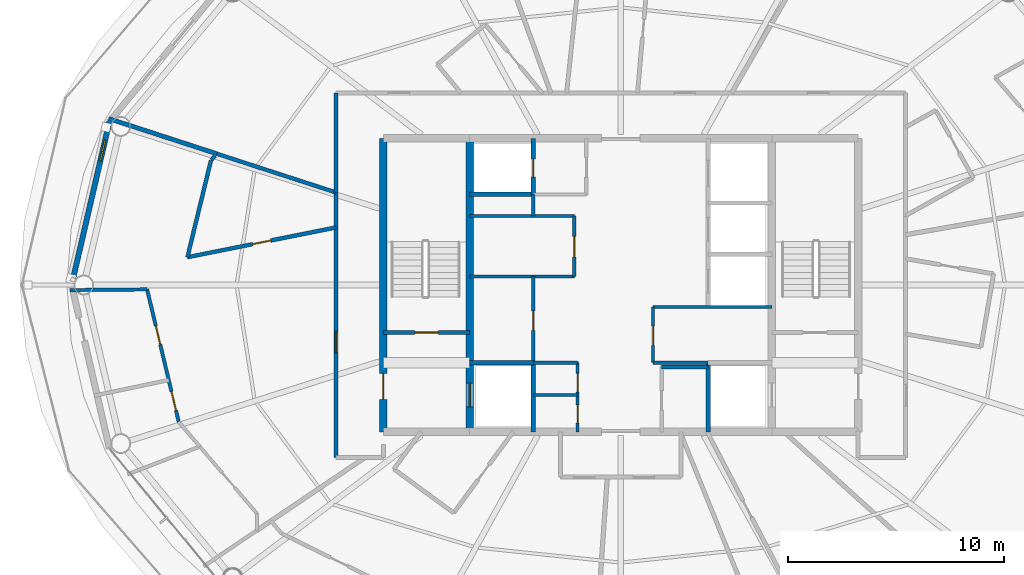
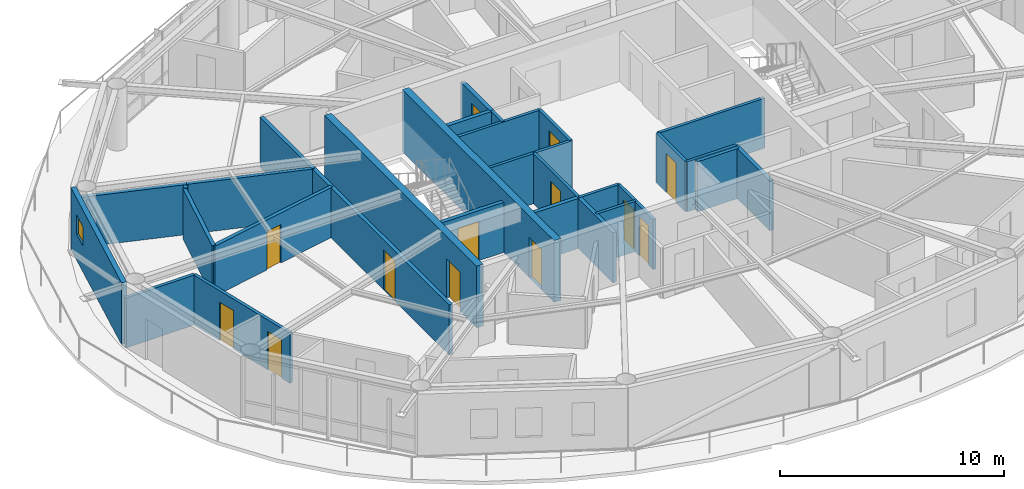
# One storey, part 16 of 22: 30 walls, 13 doors, 1 window, 14 openings.
"""IFC4 building model written with IfcOpenShell, lengths in metres."""

from ifc_helpers import new_model, si_unit, direction, frame, frame_2d, origin, place, context, subcontext, project, spatial, rectangle, extrude, material, layer, layer_set, type_object, element, fill, save


model = new_model("IFC4")

# Units and contexts
model_context = context("Model", 3, precision=1e-05, world=origin(), true_north=direction((0.0, 1.0)))
body_context = subcontext(model_context, "Body", "Model", "MODEL_VIEW")
ifc_project = project(units=[si_unit("LENGTHUNIT", "METRE"), si_unit("AREAUNIT", "SQUARE_METRE"), si_unit("VOLUMEUNIT", "CUBIC_METRE"), si_unit("PLANEANGLEUNIT", "RADIAN"), si_unit("MASSUNIT", "GRAM", prefix="KILO")], contexts=[model_context])

# Site, building, storey
site_placement = place(None, origin())
site = spatial("IfcSite", under=ifc_project, at=site_placement, CompositionType="ELEMENT")
building_placement = place(site_placement, origin())
building = spatial("IfcBuilding", under=site, at=building_placement, Name="Sarneth Arch Tower", CompositionType="ELEMENT")
storey_placement = place(building_placement, frame((0.0, 0.0, 294.60009765625)))
storey = spatial("IfcBuildingStorey", under=building, at=storey_placement, Name="L76", CompositionType="ELEMENT", Elevation=294.60009765625)

# Wall, opening, door
ifc_material_1 = material(Name="Concrete C50/60", Category="concrete")
ifc_layer_1 = layer(ifc_material_1, 0.35009765625)
ifc_layer_set_1 = layer_set([ifc_layer_1], Name="Concrete C50/60")
wall_type_1 = type_object("IfcWallType", Name="WALL-CORE-350", PredefinedType="SHEAR", material=ifc_layer_set_1)
wall_1_placement = place(storey_placement, frame((37.0, 35.199951171875, 0.0), z_axis=(0.0, 0.0, 1.0), x_axis=(0.0, 1.0, 0.0)))
wall_1 = element("IfcWall", 1, at=wall_1_placement, inside=storey, type_object=wall_type_1, Name="L76 Core shear wall W", PredefinedType="SHEAR", context=body_context, shape_type="SweptSolid", body=[
    extrude(rectangle(XDim=13.60009765625, YDim=0.35009765625, at=frame_2d((6.800048828125, 0.0))), origin(), (0.0, 0.0, 1.0), 3.369873046875),
])
opening_1_placement = place(wall_1_placement, frame((1.5, 0.0, 0.0)))
opening_1 = element("IfcOpeningElement", 2, at=opening_1_placement, cuts=wall_1, Name="Opening FD-02", PredefinedType="OPENING", context=body_context, shape_type="SweptSolid", body=[
    extrude(rectangle(XDim=1.199951171875, YDim=2.14990234375, at=frame_2d((0.60009765625, 1.074951171875))), frame((0.0, 0.18505859375, 0.0), z_axis=(0.0, -1.0, 0.0), x_axis=(1.0, 0.0, 0.0)), (0.0, 0.0, 1.0), 0.3701171875),
])
ifc_material_2 = material(Name="Galvanised Steel S275 fire door set", Category="steel")
door_type_1 = type_object("IfcDoorType", Name="DR-FD90-1200", OperationType="SINGLE_SWING_LEFT", PredefinedType="DOOR", material=ifc_material_2)
door_1_placement = place(opening_1_placement, origin())
door_1 = element("IfcDoor", 3, at=door_1_placement, inside=storey, type_object=door_type_1, Name="L76 Firefighting lobby 1 exit door", OperationType="SINGLE_SWING_LEFT", OverallHeight=2.14990234375, OverallWidth=1.199951171875, PredefinedType="DOOR", context=body_context, shape_type="SweptSolid", body=[
    extrude(rectangle(XDim=1.199951171875, YDim=2.14990234375, at=frame_2d((0.60009765625, 1.074951171875))), frame((0.0, 0.02490234375, 0.0), z_axis=(0.0, -1.0, 0.0), x_axis=(1.0, 0.0, 0.0)), (0.0, 0.0, 1.0), 0.050048828125),
])
fill(opening_1, door_1)

wall_2_placement = place(storey_placement, frame((41.0, 35.199951171875, 0.0), z_axis=(0.0, 0.0, 1.0), x_axis=(0.0, 1.0, 0.0)))
wall_2 = element("IfcWall", 4, at=wall_2_placement, inside=storey, type_object=wall_type_1, Name="L76 Core shear wall WEB-W", PredefinedType="SHEAR", context=body_context, shape_type="SweptSolid", body=[
    extrude(rectangle(XDim=13.60009765625, YDim=0.35009765625, at=frame_2d((6.800048828125, 0.0))), origin(), (0.0, 0.0, 1.0), 3.369873046875),
])
opening_2_placement = place(wall_2_placement, frame((1.14990234375, 0.0, 0.0)))
opening_2 = element("IfcOpeningElement", 5, at=opening_2_placement, cuts=wall_2, Name="Opening LD-1", PredefinedType="OPENING", context=body_context, shape_type="SweptSolid", body=[
    extrude(rectangle(XDim=1.10009765625, YDim=2.199951171875, at=frame_2d((0.550048828125, 1.10009765625))), frame((0.0, 0.18505859375, 0.0), z_axis=(0.0, -1.0, 0.0), x_axis=(1.0, 0.0, 0.0)), (0.0, 0.0, 1.0), 0.3701171875),
])
ifc_material_3 = material(Name="Brushed Stainless Steel 304 lift landing door", Category="steel")
door_type_2 = type_object("IfcDoorType", Name="DR-LIFT-SLIDE-1100", OperationType="SLIDING_TO_LEFT", PredefinedType="DOOR", material=ifc_material_3)
door_2_placement = place(opening_2_placement, origin())
door_2 = element("IfcDoor", 6, at=door_2_placement, inside=storey, type_object=door_type_2, Name="L76 Firefighting lift landing door FL-1", OperationType="SLIDING_TO_LEFT", OverallHeight=2.199951171875, OverallWidth=1.10009765625, PredefinedType="DOOR", context=body_context, shape_type="SweptSolid", body=[
    extrude(rectangle(XDim=1.10009765625, YDim=2.199951171875, at=frame_2d((0.550048828125, 1.10009765625))), frame((0.0, 0.02490234375, 0.0), z_axis=(0.0, -1.0, 0.0), x_axis=(1.0, 0.0, 0.0)), (0.0, 0.0, 1.0), 0.050048828125),
])
fill(opening_2, door_2)

ifc_material_4 = material(Name="Double steel-stud corridor fire wall", Category="steel")
ifc_layer_2 = layer(ifc_material_4, 0.18994140625)
ifc_layer_set_2 = layer_set([ifc_layer_2], Name="Double steel-stud corridor fire wall")
wall_type_2 = type_object("IfcWallType", Name="WALL-CORR-190", PredefinedType="PARTITIONING", material=ifc_layer_set_2)
wall_3_placement = place(storey_placement, frame((34.800048828125, 34.0, 0.0), z_axis=(0.0, 0.0, 1.0), x_axis=(0.0, 1.0, 0.0)))
wall_3 = element("IfcWall", 7, at=wall_3_placement, inside=storey, type_object=wall_type_2, Name="L76 Interior partition W-L76-TP-013", PredefinedType="PARTITIONING", context=body_context, shape_type="SweptSolid", body=[
    extrude(rectangle(XDim=12.322509765625, YDim=0.18994140625, at=frame_2d((6.1611328125, 0.0))), origin(), (0.0, 0.0, 1.0), 2.72998046875),
])
opening_3_placement = place(wall_3_placement, frame((4.849365234375, 0.0, 0.0)))
opening_3 = element("IfcOpeningElement", 8, at=opening_3_placement, cuts=wall_3, Name="Opening FD-08", PredefinedType="OPENING", context=body_context, shape_type="SweptSolid", body=[
    extrude(rectangle(XDim=1.0, YDim=2.199951171875, at=frame_2d((0.5, 1.10009765625))), frame((0.0, 0.10498046875, 0.0), z_axis=(0.0, -1.0, 0.0), x_axis=(1.0, 0.0, 0.0)), (0.0, 0.0, 1.0), 0.2099609375),
])
ifc_material_5 = material(Name="Hardwood timber acoustic fire door", Category="wood")
door_type_3 = type_object("IfcDoorType", Name="DR-FD60-1000", OperationType="SINGLE_SWING_LEFT", PredefinedType="DOOR", material=ifc_material_5)
door_3_placement = place(opening_3_placement, origin())
door_3 = element("IfcDoor", 9, at=door_3_placement, inside=storey, type_object=door_type_3, Name="L76 Interior door DR-L76-U4-ENT", OperationType="SINGLE_SWING_RIGHT", OverallHeight=2.199951171875, OverallWidth=1.0, PredefinedType="DOOR", context=body_context, shape_type="SweptSolid", body=[
    extrude(rectangle(XDim=1.0, YDim=2.199951171875, at=frame_2d((0.5, 1.10009765625))), frame((0.0, 0.02490234375, 0.0), z_axis=(0.0, -1.0, 0.0), x_axis=(1.0, 0.0, 0.0)), (0.0, 0.0, 1.0), 0.050048828125),
])
fill(opening_3, door_3)

# Wall
wall_4_placement = place(storey_placement, frame((34.800048828125, 46.25537109375, 0.0), z_axis=(0.0, 0.0, 1.0), x_axis=(0.0, 1.0, 0.0)))
element("IfcWall", 10, at=wall_4_placement, inside=storey, type_object=wall_type_2, Name="L76 Interior partition W-L76-TP-008", PredefinedType="PARTITIONING", context=body_context, shape_type="SweptSolid", body=[
    extrude(rectangle(XDim=4.64453125, YDim=0.18994140625, at=frame_2d((2.322265625, 0.0))), origin(), (0.0, 0.0, 1.0), 2.72998046875),
])

# Wall, opening, window
ifc_material_6 = material(Name="Extruded terracotta rainscreen on Concrete C40/50 backing", Category="masonry")
ifc_layer_3 = layer(ifc_material_6, 0.25)
ifc_layer_set_3 = layer_set([ifc_layer_3], Name="Extruded terracotta rainscreen on Concrete C40/50 backing")
wall_type_3 = type_object("IfcWallType", Name="WALL-EXT-SPAND-250", PredefinedType="SOLIDWALL", material=ifc_layer_set_3)
wall_5_placement = place(storey_placement, frame((24.30615234375, 49.569580078125, 0.0), z_axis=(0.0, 0.0, 1.0), x_axis=(-0.225635078214, -0.974211892495, 0.0)))
wall_5 = element("IfcWall", 11, at=wall_5_placement, inside=storey, type_object=wall_type_3, Name="L76 Terracotta perimeter wall 08", PredefinedType="SOLIDWALL", context=body_context, shape_type="SweptSolid", body=[
    extrude(rectangle(XDim=7.77001953125, YDim=0.25, at=frame_2d((3.885009765625, 0.0))), origin(), (0.0, 0.0, 1.0), 3.369873046875),
])
opening_4_placement = place(wall_5_placement, frame((0.877685546875, 0.0, 1.419921875)))
opening_4 = element("IfcOpeningElement", 12, at=opening_4_placement, cuts=wall_5, Name="Opening W-14", PredefinedType="OPENING", context=body_context, shape_type="SweptSolid", body=[
    extrude(rectangle(XDim=1.0, YDim=1.050048828125, at=frame_2d((0.5, 0.52490234375))), frame((0.0, 0.135009765625, 0.0), z_axis=(0.0, -1.0, 0.0), x_axis=(1.0, 0.0, 0.0)), (0.0, 0.0, 1.0), 0.27001953125),
])
ifc_material_7 = material(Name="Thermally broken Aluminium 6063-T6 and low-e laminated IGU", Category="aluminium")
window_type = type_object("IfcWindowType", Name="WIN-TWR-1000x1050", PartitioningType="SINGLE_PANEL", PredefinedType="WINDOW", material=ifc_material_7)
window_placement = place(opening_4_placement, origin())
window = element("IfcWindow", 13, at=window_placement, inside=storey, type_object=window_type, Name="L76 Dwelling bedroom window 02", OverallHeight=1.050048828125, OverallWidth=1.0, PartitioningType="SINGLE_PANEL", PredefinedType="WINDOW", context=body_context, shape_type="SweptSolid", body=[
    extrude(rectangle(XDim=1.0, YDim=1.050048828125, at=frame_2d((0.5, 0.52490234375))), frame((0.0, 0.030029296875, 0.0), z_axis=(0.0, -1.0, 0.0), x_axis=(1.0, 0.0, 0.0)), (0.0, 0.0, 1.0), 0.06005859375),
])
fill(opening_4, window)

# Wall, opening, door
ifc_material_8 = material(Name="Acoustic gypsum stud partition", Category="gypsum")
ifc_layer_4 = layer(ifc_material_8, 0.14990234375)
ifc_layer_set_4 = layer_set([ifc_layer_4], Name="Acoustic gypsum stud partition")
wall_type_4 = type_object("IfcWallType", Name="WALL-PART-150", PredefinedType="PARTITIONING", material=ifc_layer_set_4)
wall_6_placement = place(storey_placement, frame((43.949951171875, 38.39990234375, 0.0), z_axis=(0.0, 0.0, 1.0), x_axis=(0.0, 1.0, 0.0)))
wall_6 = element("IfcWall", 14, at=wall_6_placement, inside=storey, type_object=wall_type_4, Name="L76 Interior partition W-L76-RECPL-E", PredefinedType="PARTITIONING", context=body_context, shape_type="SweptSolid", body=[
    extrude(rectangle(XDim=4.0, YDim=0.14990234375, at=frame_2d((2.0, 0.0))), origin(), (0.0, 0.0, 1.0), 2.72998046875),
])
opening_5_placement = place(wall_6_placement, frame((1.5, 0.0, 0.0)))
opening_5 = element("IfcOpeningElement", 15, at=opening_5_placement, cuts=wall_6, Name="Opening FD-10", PredefinedType="OPENING", context=body_context, shape_type="SweptSolid", body=[
    extrude(rectangle(XDim=0.89990234375, YDim=2.14990234375, at=frame_2d((0.449951171875, 1.074951171875))), frame((0.0, 0.0849609375, 0.0), z_axis=(0.0, -1.0, 0.0), x_axis=(1.0, 0.0, 0.0)), (0.0, 0.0, 1.0), 0.169921875),
])
ifc_material_9 = material(Name="Galvanised Steel S275 riser/service fire door", Category="steel")
door_type_4 = type_object("IfcDoorType", Name="DR-FD60-900", OperationType="SINGLE_SWING_LEFT", PredefinedType="DOOR", material=ifc_material_9)
door_4_placement = place(opening_5_placement, origin())
door_4 = element("IfcDoor", 16, at=door_4_placement, inside=storey, type_object=door_type_4, Name="L76 Interior door DR-L76-RECPL", OperationType="SINGLE_SWING_LEFT", OverallHeight=2.14990234375, OverallWidth=0.89990234375, PredefinedType="DOOR", context=body_context, shape_type="SweptSolid", body=[
    extrude(rectangle(XDim=0.89990234375, YDim=2.14990234375, at=frame_2d((0.449951171875, 1.074951171875))), frame((0.0, 0.02490234375, 0.0), z_axis=(0.0, -1.0, 0.0), x_axis=(1.0, 0.0, 0.0)), (0.0, 0.0, 1.0), 0.050048828125),
])
fill(opening_5, door_4)

# Walls
for number, where, z_axis, x_axis, name in (
    (17, (41.0, 42.39990234375, 0.0), (0.0, 0.0, 1.0), (1.0, 0.0, 0.0), "L76 Interior partition W-L76-RECPM1-S"),
    (18, (41.0, 45.199951171875, 0.0), (0.0, 0.0, 1.0), (1.0, 0.0, 0.0), "L76 Interior partition W-L76-RECPM1-N"),
):
    element("IfcWall", number, at=place(storey_placement, frame(where, z_axis=z_axis, x_axis=x_axis)), inside=storey, type_object=wall_type_4, Name=name, PredefinedType="PARTITIONING", context=body_context, shape_type="SweptSolid", body=[
        extrude(rectangle(XDim=4.85009765625, YDim=0.14990234375, at=frame_2d((2.425048828125, 0.0))), origin(), (0.0, 0.0, 1.0), 2.72998046875),
    ])
wall_7_placement = place(storey_placement, frame((43.949951171875, 45.199951171875, 0.0), z_axis=(0.0, 0.0, 1.0), x_axis=(0.0, 1.0, 0.0)))
element("IfcWall", 19, at=wall_7_placement, inside=storey, type_object=wall_type_4, Name="L76 Interior partition W-L76-RECPM1-W2", PredefinedType="PARTITIONING", context=body_context, shape_type="SweptSolid", body=[
    extrude(rectangle(XDim=1.0, YDim=0.14990234375, at=frame_2d((0.5, 0.0))), origin(), (0.0, 0.0, 1.0), 2.72998046875),
])

# Wall, opening, door
wall_8_placement = place(storey_placement, frame((45.85009765625, 42.39990234375, 0.0), z_axis=(0.0, 0.0, 1.0), x_axis=(0.0, 1.0, 0.0)))
wall_8 = element("IfcWall", 20, at=wall_8_placement, inside=storey, type_object=wall_type_4, Name="L76 Interior partition W-L76-RECPM1-E", PredefinedType="PARTITIONING", context=body_context, shape_type="SweptSolid", body=[
    extrude(rectangle(XDim=2.800048828125, YDim=0.14990234375, at=frame_2d((1.39990234375, 0.0))), origin(), (0.0, 0.0, 1.0), 2.72998046875),
])
opening_6_placement = place(wall_8_placement, frame((0.89990234375, 0.0, 0.0)))
opening_6 = element("IfcOpeningElement", 21, at=opening_6_placement, cuts=wall_8, Name="Opening FD-09", PredefinedType="OPENING", context=body_context, shape_type="SweptSolid", body=[
    extrude(rectangle(XDim=0.949951171875, YDim=2.14990234375, at=frame_2d((0.47509765625, 1.074951171875))), frame((0.0, 0.0849609375, 0.0), z_axis=(0.0, -1.0, 0.0), x_axis=(1.0, 0.0, 0.0)), (0.0, 0.0, 1.0), 0.169921875),
])
ifc_material_10 = material(Name="Hardwood timber hotel entrance fire door", Category="wood")
door_type_5 = type_object("IfcDoorType", Name="DR-FD60-950", OperationType="SINGLE_SWING_RIGHT", PredefinedType="DOOR", material=ifc_material_10)
door_5_placement = place(opening_6_placement, origin())
door_5 = element("IfcDoor", 22, at=door_5_placement, inside=storey, type_object=door_type_5, Name="L76 Interior door DR-L76-RECPM1", OperationType="SINGLE_SWING_RIGHT", OverallHeight=2.14990234375, OverallWidth=0.949951171875, PredefinedType="DOOR", context=body_context, shape_type="SweptSolid", body=[
    extrude(rectangle(XDim=0.949951171875, YDim=2.14990234375, at=frame_2d((0.47509765625, 1.074951171875))), frame((0.0, 0.02490234375, 0.0), z_axis=(0.0, -1.0, 0.0), x_axis=(1.0, 0.0, 0.0)), (0.0, 0.0, 1.0), 0.050048828125),
])
fill(opening_6, door_5)

# Walls
wall_9_placement = place(storey_placement, frame((49.5, 40.97998046875, 0.0), z_axis=(0.0, 0.0, 1.0), x_axis=(1.0, 0.0, 0.0)))
element("IfcWall", 23, at=wall_9_placement, inside=storey, type_object=wall_type_4, Name="L76 Interior partition W-L76-RECPM2-N", PredefinedType="PARTITIONING", context=body_context, shape_type="SweptSolid", body=[
    extrude(rectangle(XDim=5.5, YDim=0.14990234375, at=frame_2d((2.75, 0.0))), origin(), (0.0, 0.0, 1.0), 2.72998046875),
])
wall_10_placement = place(storey_placement, frame((49.5, 38.39990234375, 0.0), z_axis=(0.0, 0.0, 1.0), x_axis=(1.0, 0.0, 0.0)))
element("IfcWall", 24, at=wall_10_placement, inside=storey, type_object=wall_type_4, Name="L76 Interior partition W-L76-RECPM2-S", PredefinedType="PARTITIONING", context=body_context, shape_type="SweptSolid", body=[
    extrude(rectangle(XDim=2.550048828125, YDim=0.14990234375, at=frame_2d((1.27490234375, 0.0))), origin(), (0.0, 0.0, 1.0), 2.72998046875),
])

# Wall, opening, door
wall_11_placement = place(storey_placement, frame((49.5, 38.39990234375, 0.0), z_axis=(0.0, 0.0, 1.0), x_axis=(0.0, 1.0, 0.0)))
wall_11 = element("IfcWall", 25, at=wall_11_placement, inside=storey, type_object=wall_type_4, Name="L76 Interior partition W-L76-RECPM2-W", PredefinedType="PARTITIONING", context=body_context, shape_type="SweptSolid", body=[
    extrude(rectangle(XDim=2.580078125, YDim=0.14990234375, at=frame_2d((1.2900390625, 0.0))), origin(), (0.0, 0.0, 1.0), 2.72998046875),
])
opening_7_placement = place(wall_11_placement, frame((0.800048828125, 0.0, 0.0)))
opening_7 = element("IfcOpeningElement", 26, at=opening_7_placement, cuts=wall_11, Name="Opening FD-10", PredefinedType="OPENING", context=body_context, shape_type="SweptSolid", body=[
    extrude(rectangle(XDim=0.89990234375, YDim=2.14990234375, at=frame_2d((0.449951171875, 1.074951171875))), frame((0.0, 0.0849609375, 0.0), z_axis=(0.0, -1.0, 0.0), x_axis=(1.0, 0.0, 0.0)), (0.0, 0.0, 1.0), 0.169921875),
])
door_6_placement = place(opening_7_placement, origin())
door_6 = element("IfcDoor", 27, at=door_6_placement, inside=storey, type_object=door_type_4, Name="L76 Interior door DR-L76-RECPM2", OperationType="SINGLE_SWING_LEFT", OverallHeight=2.14990234375, OverallWidth=0.89990234375, PredefinedType="DOOR", context=body_context, shape_type="SweptSolid", body=[
    extrude(rectangle(XDim=0.89990234375, YDim=2.14990234375, at=frame_2d((0.449951171875, 1.074951171875))), frame((0.0, 0.02490234375, 0.0), z_axis=(0.0, -1.0, 0.0), x_axis=(1.0, 0.0, 0.0)), (0.0, 0.0, 1.0), 0.050048828125),
])
fill(opening_7, door_6)

# Walls
for number, where, z_axis, x_axis, name in (
    (28, (43.949951171875, 36.89990234375, 0.0), (0.0, 0.0, 1.0), (1.0, 0.0, 0.0), "L76 Interior partition W-L76-CSUP-M"),
    (29, (43.949951171875, 38.39990234375, 0.0), (0.0, 0.0, 1.0), (1.0, 0.0, 0.0), "L76 Interior partition W-L76-CSUP-N"),
):
    element("IfcWall", number, at=place(storey_placement, frame(where, z_axis=z_axis, x_axis=x_axis)), inside=storey, type_object=wall_type_4, Name=name, PredefinedType="PARTITIONING", context=body_context, shape_type="SweptSolid", body=[
        extrude(rectangle(XDim=2.050048828125, YDim=0.14990234375, at=frame_2d((1.02490234375, 0.0))), origin(), (0.0, 0.0, 1.0), 2.72998046875),
    ])

# Wall, openings, doors
wall_12_placement = place(storey_placement, frame((46.0, 35.199951171875, 0.0), z_axis=(0.0, 0.0, 1.0), x_axis=(0.0, 1.0, 0.0)))
wall_12 = element("IfcWall", 30, at=wall_12_placement, inside=storey, type_object=wall_type_4, Name="L76 Interior partition W-L76-CSUP-E", PredefinedType="PARTITIONING", context=body_context, shape_type="SweptSolid", body=[
    extrude(rectangle(XDim=3.199951171875, YDim=0.14990234375, at=frame_2d((1.60009765625, 0.0))), origin(), (0.0, 0.0, 1.0), 2.72998046875),
])
opening_8_placement = place(wall_12_placement, frame((0.39990234375, 0.0, 0.0)))
opening_8 = element("IfcOpeningElement", 31, at=opening_8_placement, cuts=wall_12, Name="Opening FD-11", PredefinedType="OPENING", context=body_context, shape_type="SweptSolid", body=[
    extrude(rectangle(XDim=0.85009765625, YDim=2.14990234375, at=frame_2d((0.425048828125, 1.074951171875))), frame((0.0, 0.0849609375, 0.0), z_axis=(0.0, -1.0, 0.0), x_axis=(1.0, 0.0, 0.0)), (0.0, 0.0, 1.0), 0.169921875),
])
opening_9_placement = place(wall_12_placement, frame((1.85009765625, 0.0, 0.0)))
opening_9 = element("IfcOpeningElement", 32, at=opening_9_placement, cuts=wall_12, Name="Opening FD-11", PredefinedType="OPENING", context=body_context, shape_type="SweptSolid", body=[
    extrude(rectangle(XDim=0.85009765625, YDim=2.14990234375, at=frame_2d((0.425048828125, 1.074951171875))), frame((0.0, 0.0849609375, 0.0), z_axis=(0.0, -1.0, 0.0), x_axis=(1.0, 0.0, 0.0)), (0.0, 0.0, 1.0), 0.169921875),
])
ifc_material_11 = material(Name="Galvanised Steel S275 closet fire door", Category="steel")
door_type_6 = type_object("IfcDoorType", Name="DR-FD60-850", OperationType="SINGLE_SWING_LEFT", PredefinedType="DOOR", material=ifc_material_11)
door_7_placement = place(opening_8_placement, origin())
door_7 = element("IfcDoor", 33, at=door_7_placement, inside=storey, type_object=door_type_6, Name="L76 Interior door DR-L76-CSUP1", OperationType="SINGLE_SWING_LEFT", OverallHeight=2.14990234375, OverallWidth=0.85009765625, PredefinedType="DOOR", context=body_context, shape_type="SweptSolid", body=[
    extrude(rectangle(XDim=0.85009765625, YDim=2.14990234375, at=frame_2d((0.425048828125, 1.074951171875))), frame((0.0, 0.02490234375, 0.0), z_axis=(0.0, -1.0, 0.0), x_axis=(1.0, 0.0, 0.0)), (0.0, 0.0, 1.0), 0.050048828125),
])
fill(opening_8, door_7)
door_8_placement = place(opening_9_placement, origin())
door_8 = element("IfcDoor", 34, at=door_8_placement, inside=storey, type_object=door_type_6, Name="L76 Interior door DR-L76-CSUP2", OperationType="SINGLE_SWING_RIGHT", OverallHeight=2.14990234375, OverallWidth=0.85009765625, PredefinedType="DOOR", context=body_context, shape_type="SweptSolid", body=[
    extrude(rectangle(XDim=0.85009765625, YDim=2.14990234375, at=frame_2d((0.425048828125, 1.074951171875))), frame((0.0, 0.02490234375, 0.0), z_axis=(0.0, -1.0, 0.0), x_axis=(1.0, 0.0, 0.0)), (0.0, 0.0, 1.0), 0.050048828125),
])
fill(opening_9, door_8)

ifc_material_12 = material(Name="Kitchen wet service chase wall", Category="gypsum")
ifc_layer_5 = layer(ifc_material_12, 0.159912109375)
ifc_layer_set_5 = layer_set([ifc_layer_5], Name="Kitchen wet service chase wall")
wall_type_5 = type_object("IfcWallType", Name="WALL-PLUMB-160", PredefinedType="PLUMBINGWALL", material=ifc_layer_set_5)
wall_13_placement = place(storey_placement, frame((27.51904296875, 35.655029296875, 0.0), z_axis=(0.0, 0.0, 1.0), x_axis=(-0.232313993087, 0.97264084256, 0.0)))
wall_13 = element("IfcWall", 35, at=wall_13_placement, inside=storey, type_object=wall_type_5, Name="L76 Interior partition W-L76-TP-056", PredefinedType="PLUMBINGWALL", context=body_context, shape_type="SweptSolid", body=[
    extrude(rectangle(XDim=6.31396484375, YDim=0.159912109375, at=frame_2d((3.156982421875, 0.0))), origin(), (0.0, 0.0, 1.0), 2.72998046875),
])
opening_10_placement = place(wall_13_placement, frame((3.689208984375, 0.0, 0.0)))
opening_10 = element("IfcOpeningElement", 36, at=opening_10_placement, cuts=wall_13, Name="Opening ID-01", PredefinedType="OPENING", context=body_context, shape_type="SweptSolid", body=[
    extrude(rectangle(XDim=0.89990234375, YDim=2.10009765625, at=frame_2d((0.449951171875, 1.050048828125))), frame((0.0, 0.08984375, 0.0), z_axis=(0.0, -1.0, 0.0), x_axis=(1.0, 0.0, 0.0)), (0.0, 0.0, 1.0), 0.179931640625),
])
opening_11_placement = place(wall_13_placement, frame((0.548095703125, 0.0, 0.0)))
opening_11 = element("IfcOpeningElement", 37, at=opening_11_placement, cuts=wall_13, Name="Opening ID-01", PredefinedType="OPENING", context=body_context, shape_type="SweptSolid", body=[
    extrude(rectangle(XDim=0.89990234375, YDim=2.10009765625, at=frame_2d((0.449951171875, 1.050048828125))), frame((0.0, 0.08984375, 0.0), z_axis=(0.0, -1.0, 0.0), x_axis=(1.0, 0.0, 0.0)), (0.0, 0.0, 1.0), 0.179931640625),
])
ifc_material_13 = material(Name="Engineered hardwood flush door", Category="wood")
door_type_7 = type_object("IfcDoorType", Name="DR-INT-900", OperationType="SINGLE_SWING_LEFT", PredefinedType="DOOR", material=ifc_material_13)
door_9_placement = place(opening_10_placement, origin())
door_9 = element("IfcDoor", 38, at=door_9_placement, inside=storey, type_object=door_type_7, Name="L76 Interior door DR-L76-U4-KIT", OperationType="SINGLE_SWING_RIGHT", OverallHeight=2.10009765625, OverallWidth=0.89990234375, PredefinedType="DOOR", context=body_context, shape_type="SweptSolid", body=[
    extrude(rectangle(XDim=0.89990234375, YDim=2.10009765625, at=frame_2d((0.449951171875, 1.050048828125))), frame((0.0, 0.02490234375, 0.0), z_axis=(0.0, -1.0, 0.0), x_axis=(1.0, 0.0, 0.0)), (0.0, 0.0, 1.0), 0.050048828125),
])
fill(opening_10, door_9)
door_10_placement = place(opening_11_placement, origin())
door_10 = element("IfcDoor", 39, at=door_10_placement, inside=storey, type_object=door_type_7, Name="L76 Interior door DR-L76-U4-BED1", OperationType="SINGLE_SWING_LEFT", OverallHeight=2.10009765625, OverallWidth=0.89990234375, PredefinedType="DOOR", context=body_context, shape_type="SweptSolid", body=[
    extrude(rectangle(XDim=0.89990234375, YDim=2.10009765625, at=frame_2d((0.449951171875, 1.050048828125))), frame((0.0, 0.02490234375, 0.0), z_axis=(0.0, -1.0, 0.0), x_axis=(1.0, 0.0, 0.0)), (0.0, 0.0, 1.0), 0.050048828125),
])
fill(opening_11, door_10)

# Walls
wall_14_placement = place(storey_placement, frame((26.05224609375, 41.796142578125, 0.0), z_axis=(0.0, 0.0, 1.0), x_axis=(-0.999957259018, -0.009245546878, 0.0)))
element("IfcWall", 40, at=wall_14_placement, inside=storey, type_object=wall_type_5, Name="L76 Interior partition W-L76-TP-057", PredefinedType="PLUMBINGWALL", context=body_context, shape_type="SweptSolid", body=[
    extrude(rectangle(XDim=3.56494140625, YDim=0.159912109375, at=frame_2d((1.782470703125, 0.0))), origin(), (0.0, 0.0, 1.0), 2.72998046875),
])
ifc_material_14 = material(Name="Moisture-resistant plumbing chase wall", Category="gypsum")
ifc_layer_6 = layer(ifc_material_14, 0.179931640625)
ifc_layer_set_6 = layer_set([ifc_layer_6], Name="Moisture-resistant plumbing chase wall")
wall_type_6 = type_object("IfcWallType", Name="WALL-PLUMB-180", PredefinedType="PLUMBINGWALL", material=ifc_layer_set_6)
wall_15_placement = place(storey_placement, frame((49.89990234375, 38.199951171875, 0.0), z_axis=(0.0, 0.0, 1.0), x_axis=(1.0, 0.0, 0.0)))
element("IfcWall", 41, at=wall_15_placement, inside=storey, type_object=wall_type_6, Name="L76 Interior partition W-L76-AWC-N", PredefinedType="PLUMBINGWALL", context=body_context, shape_type="SweptSolid", body=[
    extrude(rectangle(XDim=2.150146484375, YDim=0.179931640625, at=frame_2d((1.0751953125, 0.0))), origin(), (0.0, 0.0, 1.0), 2.72998046875),
])

# Wall, opening, door
wall_16_placement = place(storey_placement, frame((27.9208984375, 43.28759765625, 0.0), z_axis=(0.0, 0.0, 1.0), x_axis=(0.980509676699, 0.196470796559, 0.0)))
wall_16 = element("IfcWall", 42, at=wall_16_placement, inside=storey, type_object=wall_type_6, Name="L76 Interior partition W-L76-TP-060", PredefinedType="PLUMBINGWALL", context=body_context, shape_type="SweptSolid", body=[
    extrude(rectangle(XDim=7.015869140625, YDim=0.179931640625, at=frame_2d((3.5078125, 0.0))), origin(), (0.0, 0.0, 1.0), 2.72998046875),
])
opening_12_placement = place(wall_16_placement, frame((3.0830078125, 0.0, 0.0)))
opening_12 = element("IfcOpeningElement", 43, at=opening_12_placement, cuts=wall_16, Name="Opening ID-02", PredefinedType="OPENING", context=body_context, shape_type="SweptSolid", body=[
    extrude(rectangle(XDim=0.85009765625, YDim=2.10009765625, at=frame_2d((0.425048828125, 1.050048828125))), frame((0.0, 0.099853515625, 0.0), z_axis=(0.0, -1.0, 0.0), x_axis=(1.0, 0.0, 0.0)), (0.0, 0.0, 1.0), 0.199951171875),
])
ifc_material_15 = material(Name="Moisture-resistant bathroom timber door", Category="wood")
door_type_8 = type_object("IfcDoorType", Name="DR-INT-850", OperationType="SINGLE_SWING_RIGHT", PredefinedType="DOOR", material=ifc_material_15)
door_11_placement = place(opening_12_placement, origin())
door_11 = element("IfcDoor", 44, at=door_11_placement, inside=storey, type_object=door_type_8, Name="L76 Interior door DR-L76-U4-BATH", OperationType="SINGLE_SWING_RIGHT", OverallHeight=2.10009765625, OverallWidth=0.85009765625, PredefinedType="DOOR", context=body_context, shape_type="SweptSolid", body=[
    extrude(rectangle(XDim=0.85009765625, YDim=2.10009765625, at=frame_2d((0.425048828125, 1.050048828125))), frame((0.0, 0.02490234375, 0.0), z_axis=(0.0, -1.0, 0.0), x_axis=(1.0, 0.0, 0.0)), (0.0, 0.0, 1.0), 0.050048828125),
])
fill(opening_12, door_11)

# Walls
wall_17_placement = place(storey_placement, frame((29.28271484375, 48.08154296875, 0.0), z_axis=(0.0, 0.0, 1.0), x_axis=(0.951054787399, -0.309022315318, 0.0)))
element("IfcWall", 45, at=wall_17_placement, inside=storey, type_object=wall_type_6, Name="L76 Interior partition W-L76-TP-055", PredefinedType="PLUMBINGWALL", context=body_context, shape_type="SweptSolid", body=[
    extrude(rectangle(XDim=5.80126953125, YDim=0.179931640625, at=frame_2d((2.900634765625, 0.0))), origin(), (0.0, 0.0, 1.0), 2.72998046875),
])
wall_18_placement = place(storey_placement, frame((29.012451171875, 47.77099609375, 0.0), z_axis=(0.0, 0.0, 1.0), x_axis=(-0.236555437191, -0.971617993419, 0.0)))
element("IfcWall", 46, at=wall_18_placement, inside=storey, type_object=wall_type_6, Name="L76 Interior partition W-L76-TP-059", PredefinedType="PLUMBINGWALL", context=body_context, shape_type="SweptSolid", body=[
    extrude(rectangle(XDim=4.6142578125, YDim=0.179931640625, at=frame_2d((2.30712890625, 0.0))), origin(), (0.0, 0.0, 1.0), 2.72998046875),
])
wall_19_placement = place(storey_placement, frame((29.196044921875, 47.98193359375, 0.0), z_axis=(0.0, 0.0, 1.0), x_axis=(-0.656442741053, -0.754375853086, 0.0)))
element("IfcWall", 47, at=wall_19_placement, inside=storey, type_object=wall_type_6, Name="L76 Interior partition W-L76-TP-058", PredefinedType="PLUMBINGWALL", context=body_context, shape_type="SweptSolid", body=[
    extrude(rectangle(XDim=0.251708984375, YDim=0.179931640625, at=frame_2d((0.1259765625, 0.0))), origin(), (0.0, 0.0, 1.0), 2.72998046875),
])

# Wall, opening, door
ifc_material_16 = material(Name="Aerated concrete blockwork C25/30", Category="masonry")
ifc_layer_7 = layer(ifc_material_16, 0.199951171875)
ifc_layer_set_7 = layer_set([ifc_layer_7], Name="Aerated concrete blockwork C25/30")
wall_type_7 = type_object("IfcWallType", Name="WALL-SHAFT-200", PredefinedType="SOLIDWALL", material=ifc_layer_set_7)
wall_20_placement = place(storey_placement, frame((37.0, 39.800048828125, 0.0), z_axis=(0.0, 0.0, 1.0), x_axis=(1.0, 0.0, 0.0)))
wall_20 = element("IfcWall", 48, at=wall_20_placement, inside=storey, type_object=wall_type_7, Name="L76 Interior partition W-L76-ST1-S", PredefinedType="SOLIDWALL", context=body_context, shape_type="SweptSolid", body=[
    extrude(rectangle(XDim=4.0, YDim=0.199951171875, at=frame_2d((2.0, 0.0))), origin(), (0.0, 0.0, 1.0), 2.72998046875),
])
opening_13_placement = place(wall_20_placement, frame((1.449951171875, 0.0, 0.0)))
opening_13 = element("IfcOpeningElement", 49, at=opening_13_placement, cuts=wall_20, Name="Opening FD-03", PredefinedType="OPENING", context=body_context, shape_type="SweptSolid", body=[
    extrude(rectangle(XDim=1.10009765625, YDim=2.14990234375, at=frame_2d((0.550048828125, 1.074951171875))), frame((0.0, 0.10986328125, 0.0), z_axis=(0.0, -1.0, 0.0), x_axis=(1.0, 0.0, 0.0)), (0.0, 0.0, 1.0), 0.219970703125),
])
ifc_material_17 = material(Name="Galvanised Steel S275 fire door set", Category="steel")
door_type_9 = type_object("IfcDoorType", Name="DR-FD90-1100", OperationType="SINGLE_SWING_LEFT", PredefinedType="DOOR", material=ifc_material_17)
door_12_placement = place(opening_13_placement, origin())
door_12 = element("IfcDoor", 50, at=door_12_placement, inside=storey, type_object=door_type_9, Name="L76 Interior door DR-L76-ST1", OperationType="SINGLE_SWING_LEFT", OverallHeight=2.14990234375, OverallWidth=1.10009765625, PredefinedType="DOOR", context=body_context, shape_type="SweptSolid", body=[
    extrude(rectangle(XDim=1.10009765625, YDim=2.14990234375, at=frame_2d((0.550048828125, 1.074951171875))), frame((0.0, 0.02490234375, 0.0), z_axis=(0.0, -1.0, 0.0), x_axis=(1.0, 0.0, 0.0)), (0.0, 0.0, 1.0), 0.050048828125),
])
fill(opening_13, door_12)

# Walls
wall_21_placement = place(storey_placement, frame((43.949951171875, 35.199951171875, 0.0), z_axis=(0.0, 0.0, 1.0), x_axis=(0.0, 1.0, 0.0)))
element("IfcWall", 51, at=wall_21_placement, inside=storey, type_object=wall_type_7, Name="L76 Interior partition W-L76-FL1-E", PredefinedType="SOLIDWALL", context=body_context, shape_type="SweptSolid", body=[
    extrude(rectangle(XDim=3.199951171875, YDim=0.199951171875, at=frame_2d((1.60009765625, 0.0))), origin(), (0.0, 0.0, 1.0), 2.72998046875),
])
wall_22_placement = place(storey_placement, frame((41.0, 38.39990234375, 0.0), z_axis=(0.0, 0.0, 1.0), x_axis=(1.0, 0.0, 0.0)))
element("IfcWall", 52, at=wall_22_placement, inside=storey, type_object=wall_type_7, Name="L76 Interior partition W-L76-FL1-N", PredefinedType="SOLIDWALL", context=body_context, shape_type="SweptSolid", body=[
    extrude(rectangle(XDim=2.949951171875, YDim=0.199951171875, at=frame_2d((1.47509765625, 0.0))), origin(), (0.0, 0.0, 1.0), 2.72998046875),
])
wall_23_placement = place(storey_placement, frame((52.050048828125, 35.199951171875, 0.0), z_axis=(0.0, 0.0, 1.0), x_axis=(0.0, 1.0, 0.0)))
element("IfcWall", 53, at=wall_23_placement, inside=storey, type_object=wall_type_7, Name="L76 Interior partition W-L76-FL2-W", PredefinedType="SOLIDWALL", context=body_context, shape_type="SweptSolid", body=[
    extrude(rectangle(XDim=3.199951171875, YDim=0.199951171875, at=frame_2d((1.60009765625, 0.0))), origin(), (0.0, 0.0, 1.0), 2.72998046875),
])
wall_24_placement = place(storey_placement, frame((41.0, 46.199951171875, 0.0), z_axis=(0.0, 0.0, 1.0), x_axis=(1.0, 0.0, 0.0)))
element("IfcWall", 54, at=wall_24_placement, inside=storey, type_object=wall_type_7, Name="L76 Interior partition W-L76-RISER-S", PredefinedType="SOLIDWALL", context=body_context, shape_type="SweptSolid", body=[
    extrude(rectangle(XDim=2.949951171875, YDim=0.199951171875, at=frame_2d((1.47509765625, 0.0))), origin(), (0.0, 0.0, 1.0), 2.72998046875),
])

# Wall, opening, door
wall_25_placement = place(storey_placement, frame((43.949951171875, 46.199951171875, 0.0), z_axis=(0.0, 0.0, 1.0), x_axis=(0.0, 1.0, 0.0)))
wall_25 = element("IfcWall", 55, at=wall_25_placement, inside=storey, type_object=wall_type_7, Name="L76 Interior partition W-L76-RISER-E", PredefinedType="SOLIDWALL", context=body_context, shape_type="SweptSolid", body=[
    extrude(rectangle(XDim=2.60009765625, YDim=0.199951171875, at=frame_2d((1.300048828125, 0.0))), origin(), (0.0, 0.0, 1.0), 2.72998046875),
])
opening_14_placement = place(wall_25_placement, frame((0.800048828125, 0.0, 0.0)))
opening_14 = element("IfcOpeningElement", 56, at=opening_14_placement, cuts=wall_25, Name="Opening FD-11", PredefinedType="OPENING", context=body_context, shape_type="SweptSolid", body=[
    extrude(rectangle(XDim=0.85009765625, YDim=2.14990234375, at=frame_2d((0.425048828125, 1.074951171875))), frame((0.0, 0.10986328125, 0.0), z_axis=(0.0, -1.0, 0.0), x_axis=(1.0, 0.0, 0.0)), (0.0, 0.0, 1.0), 0.219970703125),
])
door_13_placement = place(opening_14_placement, origin())
door_13 = element("IfcDoor", 57, at=door_13_placement, inside=storey, type_object=door_type_6, Name="L76 Lift landing door DR-L76-RISER", OperationType="SINGLE_SWING_LEFT", OverallHeight=2.14990234375, OverallWidth=0.85009765625, PredefinedType="DOOR", context=body_context, shape_type="SweptSolid", body=[
    extrude(rectangle(XDim=0.85009765625, YDim=2.14990234375, at=frame_2d((0.425048828125, 1.074951171875))), frame((0.0, 0.02490234375, 0.0), z_axis=(0.0, -1.0, 0.0), x_axis=(1.0, 0.0, 0.0)), (0.0, 0.0, 1.0), 0.050048828125),
])
fill(opening_14, door_13)

# Wall
ifc_material_18 = material(Name="Double steel-stud acoustic drywall", Category="steel")
ifc_layer_8 = layer(ifc_material_18, 0.199951171875)
ifc_layer_set_8 = layer_set([ifc_layer_8], Name="Double steel-stud acoustic drywall")
wall_type_8 = type_object("IfcWallType", Name="WALL-UNIT-200", PredefinedType="PARTITIONING", material=ifc_layer_set_8)
wall_26_placement = place(storey_placement, frame((24.2763671875, 49.708251953125, 0.0), z_axis=(0.0, 0.0, 1.0), x_axis=(0.95105383501, -0.3090252464, 0.0)))
element("IfcWall", 58, at=wall_26_placement, inside=storey, type_object=wall_type_8, Name="L76 Interior partition W-L76-TP-054", PredefinedType="PARTITIONING", context=body_context, shape_type="SweptSolid", body=[
    extrude(rectangle(XDim=5.263916015625, YDim=0.199951171875, at=frame_2d((2.6318359375, 0.0))), origin(), (0.0, 0.0, 1.0), 2.72998046875),
])

save(model, "model.ifc")
